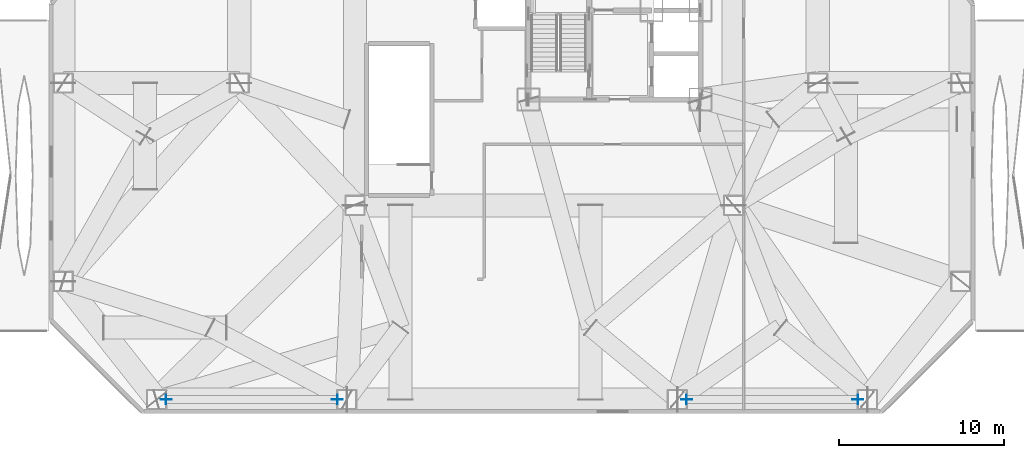
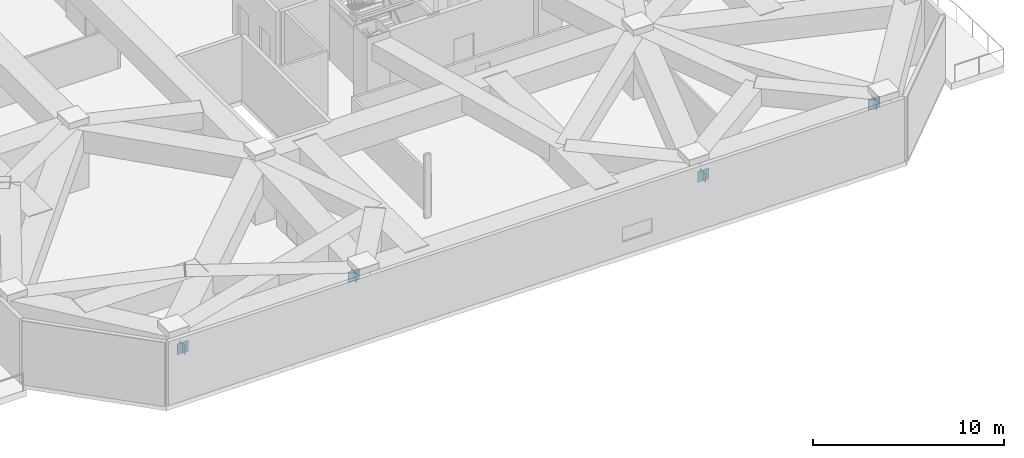
# One storey, part 18 of 27: 8 plates.
"""IFC4 building model written with IfcOpenShell, lengths in metres."""

from ifc_helpers import new_model, si_unit, direction, frame, origin, origin_2d, place, context, subcontext, project, spatial, rectangle, extrude, material, layer, layer_set, type_object, element, save


model = new_model("IFC4")

# Units and contexts
model_context = context("Model", 3, precision=1e-05, world=origin(), true_north=direction((0.0, 1.0)))
body_context = subcontext(model_context, "Body", "Model", "MODEL_VIEW")
ifc_project = project(units=[si_unit("LENGTHUNIT", "METRE"), si_unit("AREAUNIT", "SQUARE_METRE"), si_unit("VOLUMEUNIT", "CUBIC_METRE"), si_unit("PLANEANGLEUNIT", "RADIAN"), si_unit("MASSUNIT", "GRAM", prefix="KILO")], contexts=[model_context])

# Site, building, storey
site_placement = place(None, origin())
site = spatial("IfcSite", under=ifc_project, at=site_placement, CompositionType="ELEMENT")
building_placement = place(site_placement, origin())
building = spatial("IfcBuilding", under=site, at=building_placement, Name="Khamvora Tower", CompositionType="ELEMENT")
storey_placement = place(building_placement, frame((0.0, 0.0, 28.800048828125)))
storey = spatial("IfcBuildingStorey", under=building, at=storey_placement, Name="L06", CompositionType="ELEMENT", Elevation=28.800048828125)

# Plates
ifc_material_1 = material(Name="Steel S355", Category="steel")
ifc_layer_1 = layer(ifc_material_1, 0.02490234375)
ifc_layer_set_1 = layer_set([ifc_layer_1], Name="Steel S355")
plate_type_1 = type_object("IfcPlateType", Name="PL-CAP-25", PredefinedType="SHEET", material=ifc_layer_set_1)
for number, where, z_axis, x_axis, name in (
    (1, (7.06494140625, 0.85009765625, 2.44970703125), (0.0, 0.0, 1.0), (1.0, 0.0, 0.0), "L06 hollow section steel end cap plate 0452"),
    (2, (17.43505859375, 0.85009765625, 3.43408203125), (0.0, 0.0, 1.0), (1.0, 0.0, 0.0), "L06 hollow section steel end cap plate 0453"),
    (3, (38.56494140625, 0.85009765625, 2.44970703125), (0.0, 0.0, 1.0), (1.0, 0.0, 0.0), "L06 hollow section steel end cap plate 0454"),
    (4, (48.93505859375, 0.85009765625, 3.43408203125), (0.0, 0.0, 1.0), (1.0, 0.0, 0.0), "L06 hollow section steel end cap plate 0455"),
):
    element("IfcPlate", number, at=place(storey_placement, frame(where, z_axis=z_axis, x_axis=x_axis)), inside=storey, type_object=plate_type_1, Name=name, PredefinedType="SHEET", context=body_context, shape_type="SweptSolid", body=[
        extrude(rectangle(XDim=0.02490234375, YDim=0.568115234375, at=origin_2d()), origin(), (0.0, 0.0, 1.0), 0.568115234375),
    ])
ifc_material_2 = material(Name="Steel S460", Category="steel")
ifc_layer_2 = layer(ifc_material_2, 0.0400390625)
ifc_layer_set_2 = layer_set([ifc_layer_2], Name="Steel S460")
plate_type_2 = type_object("IfcPlateType", Name="PLT-GUS-40", PredefinedType="SHEET", material=ifc_layer_set_2)
for number, where, z_axis, x_axis, name in (
    (5, (7.076904296875, 0.85009765625, 2.39501953125), (0.0, 0.0, 1.0), (1.0, 0.0, 0.0), "L06 brace connection node gusset plate 0065"),
    (6, (17.423095703125, 0.85009765625, 3.376953125), (0.0, 0.0, 1.0), (1.0, 0.0, 0.0), "L06 brace connection node gusset plate 0066"),
    (7, (38.576904296875, 0.85009765625, 2.39501953125), (0.0, 0.0, 1.0), (1.0, 0.0, 0.0), "L06 brace connection node gusset plate 0067"),
    (8, (48.923095703125, 0.85009765625, 3.376953125), (0.0, 0.0, 1.0), (1.0, 0.0, 0.0), "L06 brace connection node gusset plate 0068"),
):
    element("IfcPlate", number, at=place(storey_placement, frame(where, z_axis=z_axis, x_axis=x_axis)), inside=storey, type_object=plate_type_2, Name=name, PredefinedType="SHEET", context=body_context, shape_type="SweptSolid", body=[
        extrude(rectangle(XDim=0.679931640625, YDim=0.0400390625, at=origin_2d()), origin(), (0.0, 0.0, 1.0), 0.679931640625),
    ])

save(model, "model.ifc")
